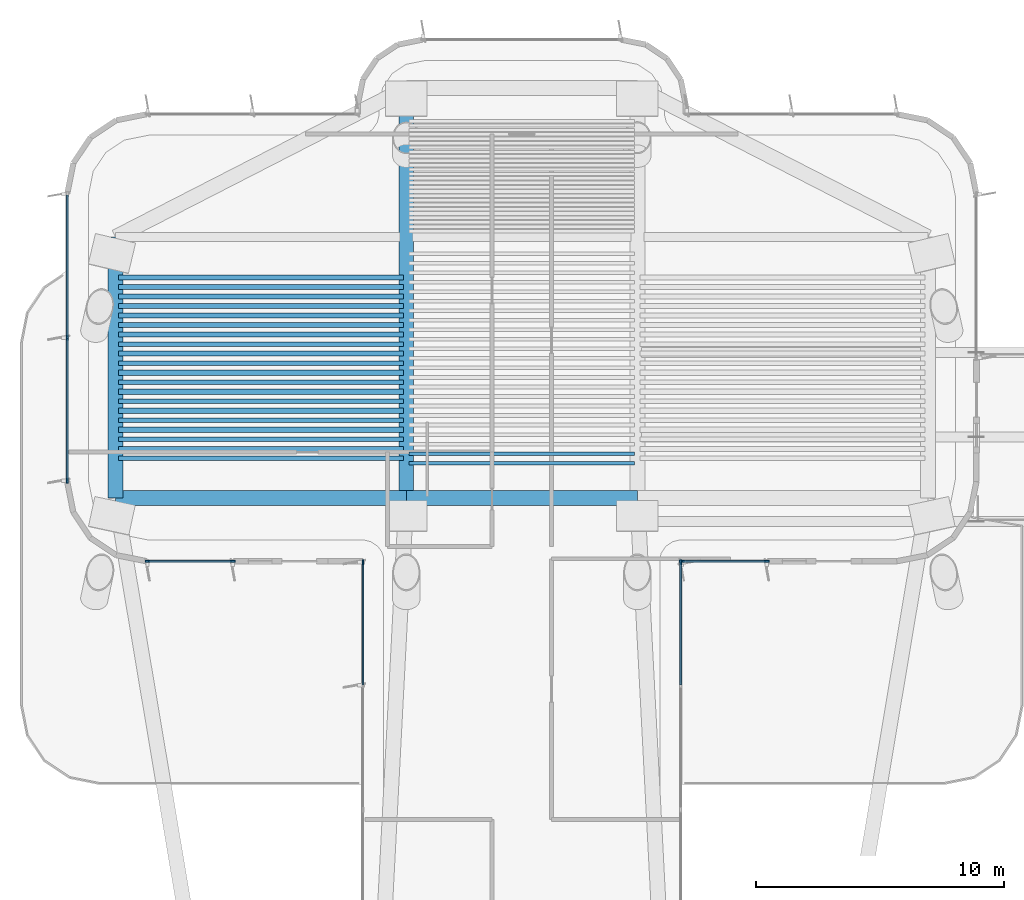
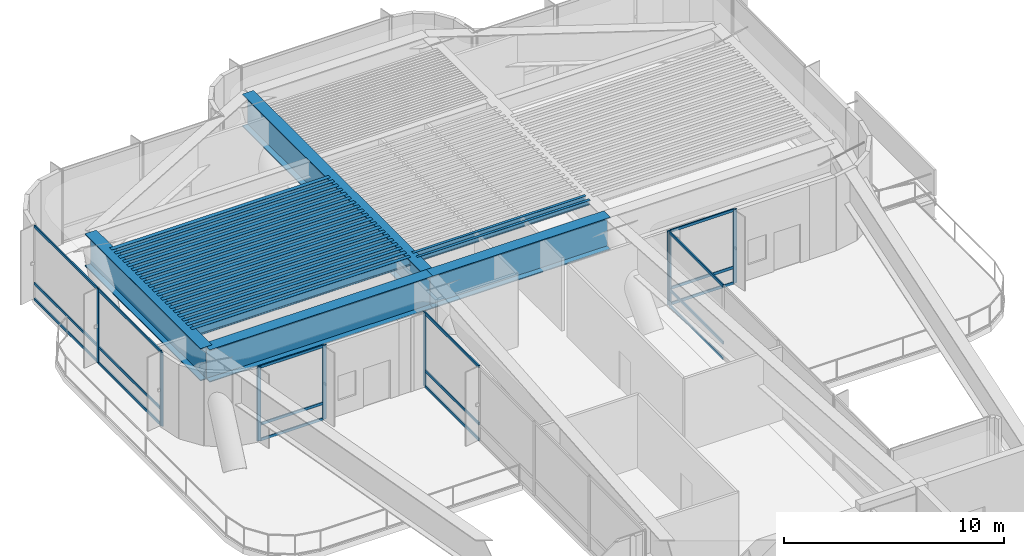
# One storey, part 5 of 16: 26 beams, 26 members, 5 elements without a shape of their own.
"""IFC4 building model written with IfcOpenShell, lengths in metres."""

from ifc_helpers import new_model, si_unit, direction, frame, origin, origin_2d, place, context, subcontext, project, spatial, rectangle, i_section, extrude, source, transform, mapped, material, layer, layer_set, material_profile, profile_set, type_object, element, aggregate, save


model = new_model("IFC4")

# Units and contexts
model_context = context("Model", 3, precision=1e-05, world=origin(), true_north=direction((0.0, 1.0)))
body_context = subcontext(model_context, "Body", "Model", "MODEL_VIEW")
ifc_project = project(units=[si_unit("LENGTHUNIT", "METRE"), si_unit("AREAUNIT", "SQUARE_METRE"), si_unit("VOLUMEUNIT", "CUBIC_METRE"), si_unit("PLANEANGLEUNIT", "RADIAN"), si_unit("MASSUNIT", "GRAM", prefix="KILO")], contexts=[model_context])

# Site, building, storey
site_placement = place(None, origin())
site = spatial("IfcSite", under=ifc_project, at=site_placement, CompositionType="ELEMENT")
building_placement = place(site_placement, origin())
building = spatial("IfcBuilding", under=site, at=building_placement, Name="Brelvock Crest Care Tower", CompositionType="ELEMENT")
storey_placement = place(building_placement, frame((0.0, 0.0, 218.52001953125)))
storey = spatial("IfcBuildingStorey", under=building, at=storey_placement, Name="L55", CompositionType="ELEMENT", Elevation=218.52001953125)

# Beams
ifc_material_1 = material(Name="Steel Grade 350", Category="steel")
ifc_material_profile_1 = material_profile(ifc_material_1, i_section(OverallWidth=0.60009765625, OverallDepth=1.800048828125, WebThickness=0.028076171875, FlangeThickness=0.052001953125, at=origin_2d()), Name="1800TG740")
ifc_profile_set_1 = profile_set([ifc_material_profile_1], Name="Steel Grade 350")
beam_type_1 = type_object("IfcBeamType", Name="BM-TG1", PredefinedType="USERDEFINED", material=ifc_profile_set_1)
shared_shape_1 = source(origin(), body_context, "Body", "SweptSolid", [
    extrude(i_section(OverallWidth=0.60009765625, OverallDepth=1.800048828125, WebThickness=0.028076171875, FlangeThickness=0.052001953125, at=origin_2d()), origin(), (0.0, 0.0, 1.0), 10.5),
])
beam_1_placement = place(storey_placement, frame((19.64990234375, 43.949951171875, 3.19189453125), z_axis=(0.0, 1.0, 0.0), x_axis=(-1.0, 0.0, 0.0)))
element("IfcBeam", 1, at=beam_1_placement, inside=storey, type_object=beam_type_1, Name="BM-TWR-L55-01", ObjectType="GIRDER", PredefinedType="USERDEFINED", context=body_context, shape_type="MappedRepresentation", body=[
    mapped(shared_shape_1, transform((0.0, 0.0, 0.0), x_axis=(1.0, 0.0, 0.0), y_axis=(0.0, 1.0, 0.0), z_axis=(0.0, 0.0, 1.0), scale=1.0)),
])
shared_shape_2 = source(origin(), body_context, "Body", "SweptSolid", [
    extrude(i_section(OverallWidth=0.60009765625, OverallDepth=1.800048828125, WebThickness=0.028076171875, FlangeThickness=0.052001953125, at=origin_2d()), origin(), (0.0, 0.0, 1.0), 9.2998046875),
])
beam_2_placement = place(storey_placement, frame((31.35009765625, 43.949951171875, 3.19189453125), z_axis=(1.0, 0.0, 0.0), x_axis=(0.0, 1.0, 0.0)))
element("IfcBeam", 2, at=beam_2_placement, inside=storey, type_object=beam_type_1, Name="BM-TWR-L55-05", ObjectType="GIRDER", PredefinedType="USERDEFINED", context=body_context, shape_type="MappedRepresentation", body=[
    mapped(shared_shape_2, transform((0.0, 0.0, 0.0), x_axis=(1.0, 0.0, 0.0), y_axis=(0.0, 1.0, 0.0), z_axis=(0.0, 0.0, 1.0), scale=1.0)),
])
ifc_material_profile_2 = material_profile(ifc_material_1, i_section(OverallWidth=0.14599609375, OverallDepth=0.256103515625, WebThickness=0.00634765625, FlangeThickness=0.010986328125, FilletRadius=0.0087890625, at=origin_2d()), Name="250UB37.3")
ifc_profile_set_2 = profile_set([ifc_material_profile_2], Name="Steel Grade 350")
beam_type_2 = type_object("IfcBeamType", Name="BM-J3", PredefinedType="JOIST", material=ifc_profile_set_2)
shared_shape_3 = source(origin(), body_context, "Body", "SweptSolid", [
    extrude(i_section(OverallWidth=0.14599609375, OverallDepth=0.256103515625, WebThickness=0.00634765625, FlangeThickness=0.010986328125, FilletRadius=0.0087890625, at=origin_2d()), origin(), (0.0, 0.0, 1.0), 9.06982421875),
])
for number, where, z_axis, x_axis, name in (
    (3, (31.465087890625, 45.34912109375, 3.9638671875), (1.0, 0.0, 0.0), (0.0, 1.0, 0.0), "BM-JH-L55-3"),
    (4, (31.465087890625, 45.732421875, 3.9638671875), (1.0, 0.0, 0.0), (0.0, 1.0, 0.0), "BM-JH-L55-4"),
):
    element("IfcBeam", number, at=place(storey_placement, frame(where, z_axis=z_axis, x_axis=x_axis)), inside=storey, type_object=beam_type_2, Name=name, PredefinedType="JOIST", context=body_context, shape_type="MappedRepresentation", body=[
        mapped(shared_shape_3, transform((0.0, 0.0, 0.0), x_axis=(1.0, 0.0, 0.0), y_axis=(0.0, 1.0, 0.0), z_axis=(0.0, 0.0, 1.0), scale=1.0)),
    ])
shared_shape_4 = source(origin(), body_context, "Body", "SweptSolid", [
    extrude(i_section(OverallWidth=0.60009765625, OverallDepth=1.800048828125, WebThickness=0.028076171875, FlangeThickness=0.052001953125, at=origin_2d()), origin(), (0.0, 0.0, 1.0), 11.7001953125),
])
beam_3_placement = place(storey_placement, frame((19.64990234375, 43.949951171875, 3.19189453125), z_axis=(1.0, 0.0, 0.0), x_axis=(0.0, 1.0, 0.0)))
element("IfcBeam", 5, at=beam_3_placement, inside=storey, type_object=beam_type_1, Name="BM-TWR-L55-03", ObjectType="GIRDER", PredefinedType="USERDEFINED", context=body_context, shape_type="MappedRepresentation", body=[
    mapped(shared_shape_4, transform((0.0, 0.0, 0.0), x_axis=(1.0, 0.0, 0.0), y_axis=(0.0, 1.0, 0.0), z_axis=(0.0, 0.0, 1.0), scale=1.0)),
])
shared_shape_5 = source(origin(), body_context, "Body", "SweptSolid", [
    extrude(i_section(OverallWidth=0.60009765625, OverallDepth=1.800048828125, WebThickness=0.028076171875, FlangeThickness=0.052001953125, at=origin_2d()), origin(), (0.0, 0.0, 1.0), 16.5),
])
beam_4_placement = place(storey_placement, frame((31.35009765625, 43.949951171875, 3.19189453125), z_axis=(0.0, 1.0, 0.0), x_axis=(-1.0, 0.0, 0.0)))
element("IfcBeam", 6, at=beam_4_placement, inside=storey, type_object=beam_type_1, Name="BM-TWR-L55-09", ObjectType="GIRDER", PredefinedType="USERDEFINED", context=body_context, shape_type="MappedRepresentation", body=[
    mapped(shared_shape_5, transform((0.0, 0.0, 0.0), x_axis=(1.0, 0.0, 0.0), y_axis=(0.0, 1.0, 0.0), z_axis=(0.0, 0.0, 1.0), scale=1.0)),
])
ifc_material_profile_3 = material_profile(ifc_material_1, i_section(OverallWidth=0.19091796875, OverallDepth=0.4599609375, WebThickness=0.010009765625, FlangeThickness=0.01611328125, FilletRadius=0.011474609375, at=origin_2d()), Name="460UB82.1")
ifc_profile_set_3 = profile_set([ifc_material_profile_3], Name="Steel Grade 350")
beam_type_3 = type_object("IfcBeamType", Name="BM-G3", PredefinedType="BEAM", material=ifc_profile_set_3)
shared_shape_6 = source(origin(), body_context, "Body", "SweptSolid", [
    extrude(i_section(OverallWidth=0.19091796875, OverallDepth=0.4599609375, WebThickness=0.010009765625, FlangeThickness=0.01611328125, FilletRadius=0.011474609375, at=origin_2d()), origin(), (0.0, 0.0, 1.0), 11.47021484375),
])
for number, where, z_axis, x_axis, name in (
    (7, (19.764892578125, 45.540771484375, 3.862060546875), (1.0, 0.0, 0.0), (0.0, 1.0, 0.0), "BM-JW-L55-4"),
    (8, (19.764892578125, 46.307373046875, 3.862060546875), (1.0, 0.0, 0.0), (0.0, 1.0, 0.0), "BM-JW-L55-6"),
    (9, (19.764892578125, 47.07373046875, 3.862060546875), (1.0, 0.0, 0.0), (0.0, 1.0, 0.0), "BM-JW-L55-8"),
    (10, (19.764892578125, 47.84033203125, 3.862060546875), (1.0, 0.0, 0.0), (0.0, 1.0, 0.0), "BM-JW-L55-10"),
    (11, (19.764892578125, 48.606689453125, 3.862060546875), (1.0, 0.0, 0.0), (0.0, 1.0, 0.0), "BM-JW-L55-12"),
    (12, (19.764892578125, 49.373291015625, 3.862060546875), (1.0, 0.0, 0.0), (0.0, 1.0, 0.0), "BM-JW-L55-14"),
    (13, (19.764892578125, 50.139892578125, 3.862060546875), (1.0, 0.0, 0.0), (0.0, 1.0, 0.0), "BM-JW-L55-16"),
    (14, (19.764892578125, 50.90625, 3.862060546875), (1.0, 0.0, 0.0), (0.0, 1.0, 0.0), "BM-JW-L55-18"),
    (15, (19.764892578125, 51.6728515625, 3.862060546875), (1.0, 0.0, 0.0), (0.0, 1.0, 0.0), "BM-JW-L55-20"),
    (16, (19.764892578125, 52.439208984375, 3.862060546875), (1.0, 0.0, 0.0), (0.0, 1.0, 0.0), "BM-JW-L55-22"),
):
    element("IfcBeam", number, at=place(storey_placement, frame(where, z_axis=z_axis, x_axis=x_axis)), inside=storey, type_object=beam_type_3, Name=name, PredefinedType="BEAM", context=body_context, shape_type="MappedRepresentation", body=[
        mapped(shared_shape_6, transform((0.0, 0.0, 0.0), x_axis=(1.0, 0.0, 0.0), y_axis=(0.0, 1.0, 0.0), z_axis=(0.0, 0.0, 1.0), scale=1.0)),
    ])
ifc_material_profile_4 = material_profile(ifc_material_1, i_section(OverallWidth=0.208984375, OverallDepth=0.532958984375, WebThickness=0.01025390625, FlangeThickness=0.015625, FilletRadius=0.013916015625, at=origin_2d()), Name="530UB92.4")
ifc_profile_set_4 = profile_set([ifc_material_profile_4], Name="Steel Grade 350")
beam_type_4 = type_object("IfcBeamType", Name="BM-G2", PredefinedType="BEAM", material=ifc_profile_set_4)
shared_shape_7 = source(origin(), body_context, "Body", "SweptSolid", [
    extrude(i_section(OverallWidth=0.208984375, OverallDepth=0.532958984375, WebThickness=0.01025390625, FlangeThickness=0.015625, FilletRadius=0.013916015625, at=origin_2d()), origin(), (0.0, 0.0, 1.0), 11.47021484375),
])
for number, where, z_axis, x_axis, name in (
    (17, (19.764892578125, 45.924072265625, 3.825439453125), (1.0, 0.0, 0.0), (0.0, 1.0, 0.0), "BM-JW-L55-5"),
    (18, (19.764892578125, 46.6904296875, 3.825439453125), (1.0, 0.0, 0.0), (0.0, 1.0, 0.0), "BM-JW-L55-7"),
    (19, (19.764892578125, 47.45703125, 3.825439453125), (1.0, 0.0, 0.0), (0.0, 1.0, 0.0), "BM-JW-L55-9"),
    (20, (19.764892578125, 48.223388671875, 3.825439453125), (1.0, 0.0, 0.0), (0.0, 1.0, 0.0), "BM-JW-L55-11"),
    (21, (19.764892578125, 48.989990234375, 3.825439453125), (1.0, 0.0, 0.0), (0.0, 1.0, 0.0), "BM-JW-L55-13"),
    (22, (19.764892578125, 49.756591796875, 3.825439453125), (1.0, 0.0, 0.0), (0.0, 1.0, 0.0), "BM-JW-L55-15"),
    (23, (19.764892578125, 50.52294921875, 3.825439453125), (1.0, 0.0, 0.0), (0.0, 1.0, 0.0), "BM-JW-L55-17"),
    (24, (19.764892578125, 51.28955078125, 3.825439453125), (1.0, 0.0, 0.0), (0.0, 1.0, 0.0), "BM-JW-L55-19"),
    (25, (19.764892578125, 52.055908203125, 3.825439453125), (1.0, 0.0, 0.0), (0.0, 1.0, 0.0), "BM-JW-L55-21"),
    (26, (19.764892578125, 52.822509765625, 3.825439453125), (1.0, 0.0, 0.0), (0.0, 1.0, 0.0), "BM-JW-L55-23"),
):
    element("IfcBeam", number, at=place(storey_placement, frame(where, z_axis=z_axis, x_axis=x_axis)), inside=storey, type_object=beam_type_4, Name=name, PredefinedType="BEAM", context=body_context, shape_type="MappedRepresentation", body=[
        mapped(shared_shape_7, transform((0.0, 0.0, 0.0), x_axis=(1.0, 0.0, 0.0), y_axis=(0.0, 1.0, 0.0), z_axis=(0.0, 0.0, 1.0), scale=1.0)),
    ])

# Curtain wall, member
ifc_material_2 = material(Name="Dark Glass Double Glazed Low-E", Category="glass")
ifc_layer = layer(ifc_material_2, 0.2548828125, Name="CWS-6")
ifc_layer_set = layer_set([ifc_layer], Name="Dark Glass Double Glazed Low-E")
curtain_wall_type = type_object("IfcCurtainWallType", Name="CWS-6", PredefinedType="NOTDEFINED", material=ifc_layer_set)
curtain_wall_1_placement = place(storey_placement, origin())
curtain_wall_1 = element("IfcCurtainWall", 27, at=curtain_wall_1_placement, inside=storey, type_object=curtain_wall_type, Name="L55 Curtain Wall E11", PredefinedType="NOTDEFINED")
ifc_material_3 = material(Name="Aluminium 6063-T6", Category="aluminium")
ifc_material_profile_5 = material_profile(ifc_material_3, rectangle(XDim=0.06494140625, YDim=0.199951171875, at=origin_2d()), Name="ALU65x200")
ifc_profile_set_5 = profile_set([ifc_material_profile_5], Name="Aluminium 6063-T6")
member_type_1 = type_object("IfcMemberType", Name="CWM-1", PredefinedType="MULLION", material=ifc_profile_set_5)
shared_shape_8 = source(origin(), body_context, "Body", "SweptSolid", [
    extrude(rectangle(XDim=0.06494140625, YDim=0.199951171875, at=origin_2d()), origin(), (0.0, 0.0, 1.0), 4.092041015625),
])
member_1_placement = place(storey_placement, frame((29.60009765625, 41.367431640625, 0.0), z_axis=(0.0, 0.0, 1.0), x_axis=(-1.0, 0.0, 0.0)))
member_1 = element("IfcMember", 28, at=member_1_placement, type_object=member_type_1, Name="CW-6 mullion 5", PredefinedType="MULLION", context=body_context, shape_type="MappedRepresentation", body=[
    mapped(shared_shape_8, transform((0.0, 0.0, 0.0), x_axis=(1.0, 0.0, 0.0), y_axis=(0.0, 1.0, 0.0), z_axis=(0.0, 0.0, 1.0), scale=1.0)),
])

# Curtain wall, members
curtain_wall_2_placement = place(storey_placement, origin())
curtain_wall_2 = element("IfcCurtainWall", 29, at=curtain_wall_2_placement, inside=storey, type_object=curtain_wall_type, Name="L55 Curtain Wall E12B", PredefinedType="NOTDEFINED")
member_2_placement = place(storey_placement, frame((24.361572265625, 41.39990234375, 0.0), z_axis=(0.0, 0.0, 1.0), x_axis=(0.0, -1.0, 0.0)))
member_2 = element("IfcMember", 30, at=member_2_placement, type_object=member_type_1, Name="CW-6 mullion 1", PredefinedType="MULLION", context=body_context, shape_type="MappedRepresentation", body=[
    mapped(shared_shape_8, transform((0.0, 0.0, 0.0), x_axis=(1.0, 0.0, 0.0), y_axis=(0.0, 1.0, 0.0), z_axis=(0.0, 0.0, 1.0), scale=1.0)),
])
member_3_placement = place(storey_placement, frame((20.9326171875, 41.39990234375, 0.0), z_axis=(0.0, 0.0, 1.0), x_axis=(0.0, -1.0, 0.0)))
member_3 = element("IfcMember", 31, at=member_3_placement, type_object=member_type_1, Name="CW-6 mullion 2", PredefinedType="MULLION", context=body_context, shape_type="MappedRepresentation", body=[
    mapped(shared_shape_8, transform((0.0, 0.0, 0.0), x_axis=(1.0, 0.0, 0.0), y_axis=(0.0, 1.0, 0.0), z_axis=(0.0, 0.0, 1.0), scale=1.0)),
])

curtain_wall_3_placement = place(storey_placement, origin())
curtain_wall_3 = element("IfcCurtainWall", 32, at=curtain_wall_3_placement, inside=storey, type_object=curtain_wall_type, Name="L55 Curtain Wall E17", PredefinedType="NOTDEFINED")
member_4_placement = place(storey_placement, frame((17.699951171875, 44.632568359375, 0.0), z_axis=(0.0, 0.0, 1.0), x_axis=(-1.0, 0.0, 0.0)))
member_4 = element("IfcMember", 33, at=member_4_placement, type_object=member_type_1, Name="CW-6 mullion 1", PredefinedType="MULLION", context=body_context, shape_type="MappedRepresentation", body=[
    mapped(shared_shape_8, transform((0.0, 0.0, 0.0), x_axis=(1.0, 0.0, 0.0), y_axis=(0.0, 1.0, 0.0), z_axis=(0.0, 0.0, 1.0), scale=1.0)),
])
member_5_placement = place(storey_placement, frame((17.699951171875, 50.39990234375, 0.0), z_axis=(0.0, 0.0, 1.0), x_axis=(-1.0, 0.0, 0.0)))
member_5 = element("IfcMember", 34, at=member_5_placement, type_object=member_type_1, Name="CW-6 mullion 2", PredefinedType="MULLION", context=body_context, shape_type="MappedRepresentation", body=[
    mapped(shared_shape_8, transform((0.0, 0.0, 0.0), x_axis=(1.0, 0.0, 0.0), y_axis=(0.0, 1.0, 0.0), z_axis=(0.0, 0.0, 1.0), scale=1.0)),
])

curtain_wall_4_placement = place(storey_placement, origin())
curtain_wall_4 = element("IfcCurtainWall", 35, at=curtain_wall_4_placement, inside=storey, type_object=curtain_wall_type, Name="L55 Curtain Wall E44B", PredefinedType="NOTDEFINED")
member_6_placement = place(storey_placement, frame((45.861572265625, 41.39990234375, 0.0), z_axis=(0.0, 0.0, 1.0), x_axis=(0.0, -1.0, 0.0)))
member_6 = element("IfcMember", 36, at=member_6_placement, type_object=member_type_1, Name="CW-6 mullion 1", PredefinedType="MULLION", context=body_context, shape_type="MappedRepresentation", body=[
    mapped(shared_shape_8, transform((0.0, 0.0, 0.0), x_axis=(1.0, 0.0, 0.0), y_axis=(0.0, 1.0, 0.0), z_axis=(0.0, 0.0, 1.0), scale=1.0)),
])
member_7_placement = place(storey_placement, frame((42.4326171875, 41.39990234375, 0.0), z_axis=(0.0, 0.0, 1.0), x_axis=(0.0, -1.0, 0.0)))
member_7 = element("IfcMember", 37, at=member_7_placement, type_object=member_type_1, Name="CW-6 mullion 2", PredefinedType="MULLION", context=body_context, shape_type="MappedRepresentation", body=[
    mapped(shared_shape_8, transform((0.0, 0.0, 0.0), x_axis=(1.0, 0.0, 0.0), y_axis=(0.0, 1.0, 0.0), z_axis=(0.0, 0.0, 1.0), scale=1.0)),
])

# Curtain wall, member
curtain_wall_5_placement = place(storey_placement, origin())
curtain_wall_5 = element("IfcCurtainWall", 38, at=curtain_wall_5_placement, inside=storey, type_object=curtain_wall_type, Name="L55 Curtain Wall E45", PredefinedType="NOTDEFINED")
member_8_placement = place(storey_placement, frame((42.39990234375, 41.367431640625, 0.0), z_axis=(0.0, 0.0, 1.0), x_axis=(1.0, 0.0, 0.0)))
member_8 = element("IfcMember", 39, at=member_8_placement, type_object=member_type_1, Name="CW-6 mullion 1", PredefinedType="MULLION", context=body_context, shape_type="MappedRepresentation", body=[
    mapped(shared_shape_8, transform((0.0, 0.0, 0.0), x_axis=(1.0, 0.0, 0.0), y_axis=(0.0, 1.0, 0.0), z_axis=(0.0, 0.0, 1.0), scale=1.0)),
])

# Member
ifc_material_profile_6 = material_profile(ifc_material_3, rectangle(XDim=0.06494140625, YDim=0.14990234375, at=origin_2d()), Name="ALU65x150")
ifc_profile_set_6 = profile_set([ifc_material_profile_6], Name="Aluminium 6063-T6")
member_type_2 = type_object("IfcMemberType", Name="CWT-1", PredefinedType="USERDEFINED", material=ifc_profile_set_6)
shared_shape_9 = source(origin(), body_context, "Body", "SweptSolid", [
    extrude(rectangle(XDim=0.06494140625, YDim=0.14990234375, at=origin_2d()), origin(), (0.0, 0.0, 1.0), 4.90234375),
])
member_9_placement = place(storey_placement, frame((29.60009765625, 36.4326171875, 0.032470703125), z_axis=(0.0, 1.0, 0.0), x_axis=(-1.0, 0.0, 0.0)))
member_9 = element("IfcMember", 40, at=member_9_placement, type_object=member_type_2, Name="CW-6 transom 4.1", ObjectType="TRANSOM", PredefinedType="USERDEFINED", context=body_context, shape_type="MappedRepresentation", body=[
    mapped(shared_shape_9, transform((0.0, 0.0, 0.0), x_axis=(1.0, 0.0, 0.0), y_axis=(0.0, 1.0, 0.0), z_axis=(0.0, 0.0, 1.0), scale=1.0)),
])

member_10_placement = place(storey_placement, frame((29.60009765625, 36.4326171875, 0.89990234375), z_axis=(0.0, 1.0, 0.0), x_axis=(-1.0, 0.0, 0.0)))
member_10 = element("IfcMember", 41, at=member_10_placement, type_object=member_type_2, Name="CW-6 transom 4.2", ObjectType="TRANSOM", PredefinedType="USERDEFINED", context=body_context, shape_type="MappedRepresentation", body=[
    mapped(shared_shape_9, transform((0.0, 0.0, 0.0), x_axis=(1.0, 0.0, 0.0), y_axis=(0.0, 1.0, 0.0), z_axis=(0.0, 0.0, 1.0), scale=1.0)),
])

member_11_placement = place(storey_placement, frame((29.60009765625, 36.4326171875, 4.0595703125), z_axis=(0.0, 1.0, 0.0), x_axis=(-1.0, 0.0, 0.0)))
member_11 = element("IfcMember", 42, at=member_11_placement, type_object=member_type_2, Name="CW-6 transom 4.3", ObjectType="TRANSOM", PredefinedType="USERDEFINED", context=body_context, shape_type="MappedRepresentation", body=[
    mapped(shared_shape_9, transform((0.0, 0.0, 0.0), x_axis=(1.0, 0.0, 0.0), y_axis=(0.0, 1.0, 0.0), z_axis=(0.0, 0.0, 1.0), scale=1.0)),
])

aggregate(curtain_wall_1, [member_1, member_9, member_10, member_11])

member_12_placement = place(storey_placement, frame((42.39990234375, 41.3349609375, 0.032470703125), z_axis=(0.0, -1.0, 0.0), x_axis=(1.0, 0.0, 0.0)))
member_12 = element("IfcMember", 43, at=member_12_placement, type_object=member_type_2, Name="CW-6 transom 1.1", ObjectType="TRANSOM", PredefinedType="USERDEFINED", context=body_context, shape_type="MappedRepresentation", body=[
    mapped(shared_shape_9, transform((0.0, 0.0, 0.0), x_axis=(1.0, 0.0, 0.0), y_axis=(0.0, 1.0, 0.0), z_axis=(0.0, 0.0, 1.0), scale=1.0)),
])

member_13_placement = place(storey_placement, frame((42.39990234375, 41.3349609375, 0.89990234375), z_axis=(0.0, -1.0, 0.0), x_axis=(1.0, 0.0, 0.0)))
member_13 = element("IfcMember", 44, at=member_13_placement, type_object=member_type_2, Name="CW-6 transom 1.2", ObjectType="TRANSOM", PredefinedType="USERDEFINED", context=body_context, shape_type="MappedRepresentation", body=[
    mapped(shared_shape_9, transform((0.0, 0.0, 0.0), x_axis=(1.0, 0.0, 0.0), y_axis=(0.0, 1.0, 0.0), z_axis=(0.0, 0.0, 1.0), scale=1.0)),
])

member_14_placement = place(storey_placement, frame((42.39990234375, 41.3349609375, 4.0595703125), z_axis=(0.0, -1.0, 0.0), x_axis=(1.0, 0.0, 0.0)))
member_14 = element("IfcMember", 45, at=member_14_placement, type_object=member_type_2, Name="CW-6 transom 1.3", ObjectType="TRANSOM", PredefinedType="USERDEFINED", context=body_context, shape_type="MappedRepresentation", body=[
    mapped(shared_shape_9, transform((0.0, 0.0, 0.0), x_axis=(1.0, 0.0, 0.0), y_axis=(0.0, 1.0, 0.0), z_axis=(0.0, 0.0, 1.0), scale=1.0)),
])

aggregate(curtain_wall_5, [member_8, member_12, member_13, member_14])

shared_shape_10 = source(origin(), body_context, "Body", "SweptSolid", [
    extrude(rectangle(XDim=0.06494140625, YDim=0.14990234375, at=origin_2d()), origin(), (0.0, 0.0, 1.0), 3.364013671875),
])
member_15_placement = place(storey_placement, frame((24.3291015625, 41.39990234375, 0.032470703125), z_axis=(-1.0, 0.0, 0.0), x_axis=(0.0, -1.0, 0.0)))
member_15 = element("IfcMember", 46, at=member_15_placement, type_object=member_type_2, Name="CW-6 transom 1.1", ObjectType="TRANSOM", PredefinedType="USERDEFINED", context=body_context, shape_type="MappedRepresentation", body=[
    mapped(shared_shape_10, transform((0.0, 0.0, 0.0), x_axis=(1.0, 0.0, 0.0), y_axis=(0.0, 1.0, 0.0), z_axis=(0.0, 0.0, 1.0), scale=1.0)),
])

member_16_placement = place(storey_placement, frame((24.3291015625, 41.39990234375, 0.89990234375), z_axis=(-1.0, 0.0, 0.0), x_axis=(0.0, -1.0, 0.0)))
member_16 = element("IfcMember", 47, at=member_16_placement, type_object=member_type_2, Name="CW-6 transom 1.2", ObjectType="TRANSOM", PredefinedType="USERDEFINED", context=body_context, shape_type="MappedRepresentation", body=[
    mapped(shared_shape_10, transform((0.0, 0.0, 0.0), x_axis=(1.0, 0.0, 0.0), y_axis=(0.0, 1.0, 0.0), z_axis=(0.0, 0.0, 1.0), scale=1.0)),
])

member_17_placement = place(storey_placement, frame((24.3291015625, 41.39990234375, 4.0595703125), z_axis=(-1.0, 0.0, 0.0), x_axis=(0.0, -1.0, 0.0)))
member_17 = element("IfcMember", 48, at=member_17_placement, type_object=member_type_2, Name="CW-6 transom 1.3", ObjectType="TRANSOM", PredefinedType="USERDEFINED", context=body_context, shape_type="MappedRepresentation", body=[
    mapped(shared_shape_10, transform((0.0, 0.0, 0.0), x_axis=(1.0, 0.0, 0.0), y_axis=(0.0, 1.0, 0.0), z_axis=(0.0, 0.0, 1.0), scale=1.0)),
])

aggregate(curtain_wall_2, [member_2, member_3, member_15, member_16, member_17])

member_18_placement = place(storey_placement, frame((45.8291015625, 41.39990234375, 0.032470703125), z_axis=(-1.0, 0.0, 0.0), x_axis=(0.0, -1.0, 0.0)))
member_18 = element("IfcMember", 49, at=member_18_placement, type_object=member_type_2, Name="CW-6 transom 1.1", ObjectType="TRANSOM", PredefinedType="USERDEFINED", context=body_context, shape_type="MappedRepresentation", body=[
    mapped(shared_shape_10, transform((0.0, 0.0, 0.0), x_axis=(1.0, 0.0, 0.0), y_axis=(0.0, 1.0, 0.0), z_axis=(0.0, 0.0, 1.0), scale=1.0)),
])

member_19_placement = place(storey_placement, frame((45.8291015625, 41.39990234375, 0.89990234375), z_axis=(-1.0, 0.0, 0.0), x_axis=(0.0, -1.0, 0.0)))
member_19 = element("IfcMember", 50, at=member_19_placement, type_object=member_type_2, Name="CW-6 transom 1.2", ObjectType="TRANSOM", PredefinedType="USERDEFINED", context=body_context, shape_type="MappedRepresentation", body=[
    mapped(shared_shape_10, transform((0.0, 0.0, 0.0), x_axis=(1.0, 0.0, 0.0), y_axis=(0.0, 1.0, 0.0), z_axis=(0.0, 0.0, 1.0), scale=1.0)),
])

member_20_placement = place(storey_placement, frame((45.8291015625, 41.39990234375, 4.0595703125), z_axis=(-1.0, 0.0, 0.0), x_axis=(0.0, -1.0, 0.0)))
member_20 = element("IfcMember", 51, at=member_20_placement, type_object=member_type_2, Name="CW-6 transom 1.3", ObjectType="TRANSOM", PredefinedType="USERDEFINED", context=body_context, shape_type="MappedRepresentation", body=[
    mapped(shared_shape_10, transform((0.0, 0.0, 0.0), x_axis=(1.0, 0.0, 0.0), y_axis=(0.0, 1.0, 0.0), z_axis=(0.0, 0.0, 1.0), scale=1.0)),
])

aggregate(curtain_wall_4, [member_6, member_7, member_18, member_19, member_20])

shared_shape_11 = source(origin(), body_context, "Body", "SweptSolid", [
    extrude(rectangle(XDim=0.06494140625, YDim=0.14990234375, at=origin_2d()), origin(), (0.0, 0.0, 1.0), 5.702392578125),
])
member_21_placement = place(storey_placement, frame((17.699951171875, 44.6650390625, 0.032470703125), z_axis=(0.0, 1.0, 0.0), x_axis=(-1.0, 0.0, 0.0)))
member_21 = element("IfcMember", 52, at=member_21_placement, type_object=member_type_2, Name="CW-6 transom 1.1", ObjectType="TRANSOM", PredefinedType="USERDEFINED", context=body_context, shape_type="MappedRepresentation", body=[
    mapped(shared_shape_11, transform((0.0, 0.0, 0.0), x_axis=(1.0, 0.0, 0.0), y_axis=(0.0, 1.0, 0.0), z_axis=(0.0, 0.0, 1.0), scale=1.0)),
])

member_22_placement = place(storey_placement, frame((17.699951171875, 44.6650390625, 0.89990234375), z_axis=(0.0, 1.0, 0.0), x_axis=(-1.0, 0.0, 0.0)))
member_22 = element("IfcMember", 53, at=member_22_placement, type_object=member_type_2, Name="CW-6 transom 1.2", ObjectType="TRANSOM", PredefinedType="USERDEFINED", context=body_context, shape_type="MappedRepresentation", body=[
    mapped(shared_shape_11, transform((0.0, 0.0, 0.0), x_axis=(1.0, 0.0, 0.0), y_axis=(0.0, 1.0, 0.0), z_axis=(0.0, 0.0, 1.0), scale=1.0)),
])

member_23_placement = place(storey_placement, frame((17.699951171875, 44.6650390625, 4.0595703125), z_axis=(0.0, 1.0, 0.0), x_axis=(-1.0, 0.0, 0.0)))
member_23 = element("IfcMember", 54, at=member_23_placement, type_object=member_type_2, Name="CW-6 transom 1.3", ObjectType="TRANSOM", PredefinedType="USERDEFINED", context=body_context, shape_type="MappedRepresentation", body=[
    mapped(shared_shape_11, transform((0.0, 0.0, 0.0), x_axis=(1.0, 0.0, 0.0), y_axis=(0.0, 1.0, 0.0), z_axis=(0.0, 0.0, 1.0), scale=1.0)),
])

member_24_placement = place(storey_placement, frame((17.699951171875, 50.4326171875, 0.032470703125), z_axis=(0.0, 1.0, 0.0), x_axis=(-1.0, 0.0, 0.0)))
member_24 = element("IfcMember", 55, at=member_24_placement, type_object=member_type_2, Name="CW-6 transom 2.1", ObjectType="TRANSOM", PredefinedType="USERDEFINED", context=body_context, shape_type="MappedRepresentation", body=[
    mapped(shared_shape_11, transform((0.0, 0.0, 0.0), x_axis=(1.0, 0.0, 0.0), y_axis=(0.0, 1.0, 0.0), z_axis=(0.0, 0.0, 1.0), scale=1.0)),
])

member_25_placement = place(storey_placement, frame((17.699951171875, 50.4326171875, 0.89990234375), z_axis=(0.0, 1.0, 0.0), x_axis=(-1.0, 0.0, 0.0)))
member_25 = element("IfcMember", 56, at=member_25_placement, type_object=member_type_2, Name="CW-6 transom 2.2", ObjectType="TRANSOM", PredefinedType="USERDEFINED", context=body_context, shape_type="MappedRepresentation", body=[
    mapped(shared_shape_11, transform((0.0, 0.0, 0.0), x_axis=(1.0, 0.0, 0.0), y_axis=(0.0, 1.0, 0.0), z_axis=(0.0, 0.0, 1.0), scale=1.0)),
])

member_26_placement = place(storey_placement, frame((17.699951171875, 50.4326171875, 4.0595703125), z_axis=(0.0, 1.0, 0.0), x_axis=(-1.0, 0.0, 0.0)))
member_26 = element("IfcMember", 57, at=member_26_placement, type_object=member_type_2, Name="CW-6 transom 2.3", ObjectType="TRANSOM", PredefinedType="USERDEFINED", context=body_context, shape_type="MappedRepresentation", body=[
    mapped(shared_shape_11, transform((0.0, 0.0, 0.0), x_axis=(1.0, 0.0, 0.0), y_axis=(0.0, 1.0, 0.0), z_axis=(0.0, 0.0, 1.0), scale=1.0)),
])

aggregate(curtain_wall_3, [member_4, member_5, member_21, member_22, member_23, member_24, member_25, member_26])

save(model, "model.ifc")
